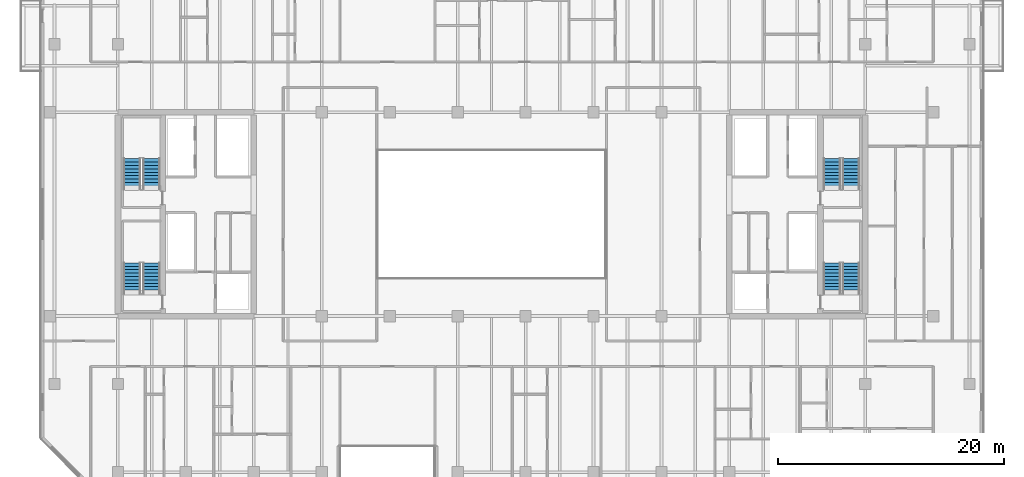
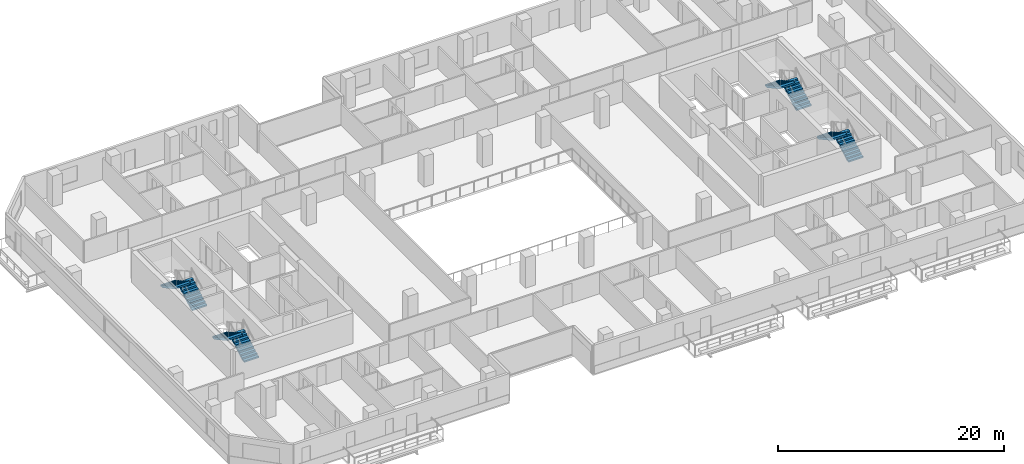
# One storey, part 17 of 23: 8 stair flights, 4 elements without a shape of their own.
"""IFC4 building model written with IfcOpenShell, lengths in metres."""

from ifc_helpers import new_model, si_unit, direction, frame, origin, place, context, subcontext, project, spatial, polyline, outline, extrude, material, type_object, element, aggregate, save


model = new_model("IFC4")

# Units and contexts
model_context = context("Model", 3, precision=1e-05, world=origin(), true_north=direction((0.0, 1.0)))
body_context = subcontext(model_context, "Body", "Model", "MODEL_VIEW")
ifc_project = project(units=[si_unit("LENGTHUNIT", "METRE"), si_unit("AREAUNIT", "SQUARE_METRE"), si_unit("VOLUMEUNIT", "CUBIC_METRE"), si_unit("PLANEANGLEUNIT", "RADIAN"), si_unit("MASSUNIT", "GRAM", prefix="KILO")], contexts=[model_context])

# Site, building, storey
site_placement = place(None, origin())
site = spatial("IfcSite", under=ifc_project, at=site_placement, CompositionType="ELEMENT")
building_placement = place(site_placement, origin())
building = spatial("IfcBuilding", under=site, at=building_placement, Name="Tanjung Sevakor Pilgrim Tower", CompositionType="ELEMENT")
storey_placement = place(building_placement, frame((0.0, 0.0, 82.169921875)))
storey = spatial("IfcBuildingStorey", under=building, at=storey_placement, Name="L22", CompositionType="ELEMENT", Elevation=82.169921875)

# Stair, stair flights
ifc_material_1 = material(Name="Concrete C40/50", Category="concrete")
stair_type = type_object("IfcStairType", Name="STAIR-ST-CR150", PredefinedType="HALF_TURN_STAIR", material=ifc_material_1)
stair_1_placement = place(storey_placement, origin())
stair_1 = element("IfcStair", 1, at=stair_1_placement, inside=storey, type_object=stair_type, Name="L22 West Core Exit Stair 1", PredefinedType="HALF_TURN_STAIR")
ifc_material_2 = material(Name="Concrete C40/50", Category="concrete")
stair_flight_type = type_object("IfcStairFlightType", Name="FLIGHT-ST-CR150", PredefinedType="STRAIGHT", material=ifc_material_2)
stair_flight_1_placement = place(storey_placement, frame((26.949951171875, 26.60009765625, 0.0), z_axis=(0.0, 0.0, 1.0), x_axis=(0.0, 1.0, 0.0)))
stair_flight_1 = element("IfcStairFlight", 2, at=stair_flight_1_placement, type_object=stair_flight_type, Name="TS-W1 flight 1", NumberOfRisers=10, NumberOfTreads=9, PredefinedType="STRAIGHT", RiserHeight=0.165, TreadLength=0.3, context=body_context, shape_type="SweptSolid", body=[
    extrude(outline(polyline([(0.0, 0.0), (0.0, 0.1650390625), (0.300048828125, 0.1650390625), (0.300048828125, 0.330078125), (0.60009765625, 0.330078125), (0.60009765625, 0.4951171875), (0.89990234375, 0.4951171875), (0.89990234375, 0.659912109375), (1.199951171875, 0.659912109375), (1.199951171875, 0.824951171875), (1.5, 0.824951171875), (1.5, 0.989990234375), (1.800048828125, 0.989990234375), (1.800048828125, 1.155029296875), (2.10009765625, 1.155029296875), (2.10009765625, 1.320068359375), (2.39990234375, 1.320068359375), (2.39990234375, 1.485107421875), (2.699951171875, 1.485107421875), (2.699951171875, 1.64990234375), (2.699951171875, 1.302490234375), (0.331787109375, 0.0), (0.0, 0.0)])), frame((0.0, 0.75, 0.0), z_axis=(0.0, -1.0, 0.0), x_axis=(1.0, 0.0, 0.0)), (0.0, 0.0, 1.0), 1.5),
])
stair_flight_2_placement = place(storey_placement, frame((25.25, 29.300048828125, 1.650146484375), z_axis=(0.0, 0.0, 1.0), x_axis=(0.0, -1.0, 0.0)))
stair_flight_2 = element("IfcStairFlight", 3, at=stair_flight_2_placement, type_object=stair_flight_type, Name="TS-W1 flight 2", NumberOfRisers=10, NumberOfTreads=9, PredefinedType="STRAIGHT", RiserHeight=0.165, TreadLength=0.3, context=body_context, shape_type="SweptSolid", body=[
    extrude(outline(polyline([(0.0, 0.0), (0.0, 0.1650390625), (0.300048828125, 0.1650390625), (0.300048828125, 0.330078125), (0.60009765625, 0.330078125), (0.60009765625, 0.4951171875), (0.89990234375, 0.4951171875), (0.89990234375, 0.659912109375), (1.199951171875, 0.659912109375), (1.199951171875, 0.824951171875), (1.5, 0.824951171875), (1.5, 0.989990234375), (1.800048828125, 0.989990234375), (1.800048828125, 1.155029296875), (2.10009765625, 1.155029296875), (2.10009765625, 1.320068359375), (2.39990234375, 1.320068359375), (2.39990234375, 1.485107421875), (2.699951171875, 1.485107421875), (2.699951171875, 1.64990234375), (2.699951171875, 1.302490234375), (0.331787109375, 0.0), (0.0, 0.0)])), frame((0.0, 0.75, 0.0), z_axis=(0.0, -1.0, 0.0), x_axis=(1.0, 0.0, 0.0)), (0.0, 0.0, 1.0), 1.5),
])
aggregate(stair_1, [stair_flight_1, stair_flight_2])

stair_2_placement = place(storey_placement, origin())
stair_2 = element("IfcStair", 4, at=stair_2_placement, inside=storey, type_object=stair_type, Name="L22 West Core Exit Stair 2", PredefinedType="HALF_TURN_STAIR")
stair_flight_3_placement = place(storey_placement, frame((26.949951171875, 35.800048828125, 0.0), z_axis=(0.0, 0.0, 1.0), x_axis=(0.0, 1.0, 0.0)))
stair_flight_3 = element("IfcStairFlight", 5, at=stair_flight_3_placement, type_object=stair_flight_type, Name="TS-W2 flight 1", NumberOfRisers=10, NumberOfTreads=9, PredefinedType="STRAIGHT", RiserHeight=0.165, TreadLength=0.3, context=body_context, shape_type="SweptSolid", body=[
    extrude(outline(polyline([(0.0, 0.0), (0.0, 0.1650390625), (0.300048828125, 0.1650390625), (0.300048828125, 0.330078125), (0.60009765625, 0.330078125), (0.60009765625, 0.4951171875), (0.89990234375, 0.4951171875), (0.89990234375, 0.659912109375), (1.199951171875, 0.659912109375), (1.199951171875, 0.824951171875), (1.5, 0.824951171875), (1.5, 0.989990234375), (1.800048828125, 0.989990234375), (1.800048828125, 1.155029296875), (2.10009765625, 1.155029296875), (2.10009765625, 1.320068359375), (2.39990234375, 1.320068359375), (2.39990234375, 1.485107421875), (2.699951171875, 1.485107421875), (2.699951171875, 1.64990234375), (2.699951171875, 1.302490234375), (0.331787109375, 0.0), (0.0, 0.0)])), frame((0.0, 0.75, 0.0), z_axis=(0.0, -1.0, 0.0), x_axis=(1.0, 0.0, 0.0)), (0.0, 0.0, 1.0), 1.5),
])
stair_flight_4_placement = place(storey_placement, frame((25.25, 38.5, 1.650146484375), z_axis=(0.0, 0.0, 1.0), x_axis=(0.0, -1.0, 0.0)))
stair_flight_4 = element("IfcStairFlight", 6, at=stair_flight_4_placement, type_object=stair_flight_type, Name="TS-W2 flight 2", NumberOfRisers=10, NumberOfTreads=9, PredefinedType="STRAIGHT", RiserHeight=0.165, TreadLength=0.3, context=body_context, shape_type="SweptSolid", body=[
    extrude(outline(polyline([(0.0, 0.0), (0.0, 0.1650390625), (0.300048828125, 0.1650390625), (0.300048828125, 0.330078125), (0.60009765625, 0.330078125), (0.60009765625, 0.4951171875), (0.89990234375, 0.4951171875), (0.89990234375, 0.659912109375), (1.199951171875, 0.659912109375), (1.199951171875, 0.824951171875), (1.5, 0.824951171875), (1.5, 0.989990234375), (1.800048828125, 0.989990234375), (1.800048828125, 1.155029296875), (2.10009765625, 1.155029296875), (2.10009765625, 1.320068359375), (2.39990234375, 1.320068359375), (2.39990234375, 1.485107421875), (2.699951171875, 1.485107421875), (2.699951171875, 1.64990234375), (2.699951171875, 1.302490234375), (0.331787109375, 0.0), (0.0, 0.0)])), frame((0.0, 0.75, 0.0), z_axis=(0.0, -1.0, 0.0), x_axis=(1.0, 0.0, 0.0)), (0.0, 0.0, 1.0), 1.5),
])
aggregate(stair_2, [stair_flight_3, stair_flight_4])

stair_3_placement = place(storey_placement, origin())
stair_3 = element("IfcStair", 7, at=stair_3_placement, inside=storey, type_object=stair_type, Name="L22 East Core Exit Stair 1", PredefinedType="HALF_TURN_STAIR")
stair_flight_5_placement = place(storey_placement, frame((88.75, 26.60009765625, 0.0), z_axis=(0.0, 0.0, 1.0), x_axis=(0.0, 1.0, 0.0)))
stair_flight_5 = element("IfcStairFlight", 8, at=stair_flight_5_placement, type_object=stair_flight_type, Name="TS-E1 flight 1", NumberOfRisers=10, NumberOfTreads=9, PredefinedType="STRAIGHT", RiserHeight=0.165, TreadLength=0.3, context=body_context, shape_type="SweptSolid", body=[
    extrude(outline(polyline([(0.0, 0.0), (0.0, 0.1650390625), (0.300048828125, 0.1650390625), (0.300048828125, 0.330078125), (0.60009765625, 0.330078125), (0.60009765625, 0.4951171875), (0.89990234375, 0.4951171875), (0.89990234375, 0.659912109375), (1.199951171875, 0.659912109375), (1.199951171875, 0.824951171875), (1.5, 0.824951171875), (1.5, 0.989990234375), (1.800048828125, 0.989990234375), (1.800048828125, 1.155029296875), (2.10009765625, 1.155029296875), (2.10009765625, 1.320068359375), (2.39990234375, 1.320068359375), (2.39990234375, 1.485107421875), (2.699951171875, 1.485107421875), (2.699951171875, 1.64990234375), (2.699951171875, 1.302490234375), (0.331787109375, 0.0), (0.0, 0.0)])), frame((0.0, 0.75, 0.0), z_axis=(0.0, -1.0, 0.0), x_axis=(1.0, 0.0, 0.0)), (0.0, 0.0, 1.0), 1.5),
])
stair_flight_6_placement = place(storey_placement, frame((87.050048828125, 29.300048828125, 1.650146484375), z_axis=(0.0, 0.0, 1.0), x_axis=(0.0, -1.0, 0.0)))
stair_flight_6 = element("IfcStairFlight", 9, at=stair_flight_6_placement, type_object=stair_flight_type, Name="TS-E1 flight 2", NumberOfRisers=10, NumberOfTreads=9, PredefinedType="STRAIGHT", RiserHeight=0.165, TreadLength=0.3, context=body_context, shape_type="SweptSolid", body=[
    extrude(outline(polyline([(0.0, 0.0), (0.0, 0.1650390625), (0.300048828125, 0.1650390625), (0.300048828125, 0.330078125), (0.60009765625, 0.330078125), (0.60009765625, 0.4951171875), (0.89990234375, 0.4951171875), (0.89990234375, 0.659912109375), (1.199951171875, 0.659912109375), (1.199951171875, 0.824951171875), (1.5, 0.824951171875), (1.5, 0.989990234375), (1.800048828125, 0.989990234375), (1.800048828125, 1.155029296875), (2.10009765625, 1.155029296875), (2.10009765625, 1.320068359375), (2.39990234375, 1.320068359375), (2.39990234375, 1.485107421875), (2.699951171875, 1.485107421875), (2.699951171875, 1.64990234375), (2.699951171875, 1.302490234375), (0.331787109375, 0.0), (0.0, 0.0)])), frame((0.0, 0.75, 0.0), z_axis=(0.0, -1.0, 0.0), x_axis=(1.0, 0.0, 0.0)), (0.0, 0.0, 1.0), 1.5),
])
aggregate(stair_3, [stair_flight_5, stair_flight_6])

stair_4_placement = place(storey_placement, origin())
stair_4 = element("IfcStair", 10, at=stair_4_placement, inside=storey, type_object=stair_type, Name="L22 East Core Exit Stair 2", PredefinedType="HALF_TURN_STAIR")
stair_flight_7_placement = place(storey_placement, frame((88.75, 35.800048828125, 0.0), z_axis=(0.0, 0.0, 1.0), x_axis=(0.0, 1.0, 0.0)))
stair_flight_7 = element("IfcStairFlight", 11, at=stair_flight_7_placement, type_object=stair_flight_type, Name="TS-E2 flight 1", NumberOfRisers=10, NumberOfTreads=9, PredefinedType="STRAIGHT", RiserHeight=0.165, TreadLength=0.3, context=body_context, shape_type="SweptSolid", body=[
    extrude(outline(polyline([(0.0, 0.0), (0.0, 0.1650390625), (0.300048828125, 0.1650390625), (0.300048828125, 0.330078125), (0.60009765625, 0.330078125), (0.60009765625, 0.4951171875), (0.89990234375, 0.4951171875), (0.89990234375, 0.659912109375), (1.199951171875, 0.659912109375), (1.199951171875, 0.824951171875), (1.5, 0.824951171875), (1.5, 0.989990234375), (1.800048828125, 0.989990234375), (1.800048828125, 1.155029296875), (2.10009765625, 1.155029296875), (2.10009765625, 1.320068359375), (2.39990234375, 1.320068359375), (2.39990234375, 1.485107421875), (2.699951171875, 1.485107421875), (2.699951171875, 1.64990234375), (2.699951171875, 1.302490234375), (0.331787109375, 0.0), (0.0, 0.0)])), frame((0.0, 0.75, 0.0), z_axis=(0.0, -1.0, 0.0), x_axis=(1.0, 0.0, 0.0)), (0.0, 0.0, 1.0), 1.5),
])
stair_flight_8_placement = place(storey_placement, frame((87.050048828125, 38.5, 1.650146484375), z_axis=(0.0, 0.0, 1.0), x_axis=(0.0, -1.0, 0.0)))
stair_flight_8 = element("IfcStairFlight", 12, at=stair_flight_8_placement, type_object=stair_flight_type, Name="TS-E2 flight 2", NumberOfRisers=10, NumberOfTreads=9, PredefinedType="STRAIGHT", RiserHeight=0.165, TreadLength=0.3, context=body_context, shape_type="SweptSolid", body=[
    extrude(outline(polyline([(0.0, 0.0), (0.0, 0.1650390625), (0.300048828125, 0.1650390625), (0.300048828125, 0.330078125), (0.60009765625, 0.330078125), (0.60009765625, 0.4951171875), (0.89990234375, 0.4951171875), (0.89990234375, 0.659912109375), (1.199951171875, 0.659912109375), (1.199951171875, 0.824951171875), (1.5, 0.824951171875), (1.5, 0.989990234375), (1.800048828125, 0.989990234375), (1.800048828125, 1.155029296875), (2.10009765625, 1.155029296875), (2.10009765625, 1.320068359375), (2.39990234375, 1.320068359375), (2.39990234375, 1.485107421875), (2.699951171875, 1.485107421875), (2.699951171875, 1.64990234375), (2.699951171875, 1.302490234375), (0.331787109375, 0.0), (0.0, 0.0)])), frame((0.0, 0.75, 0.0), z_axis=(0.0, -1.0, 0.0), x_axis=(1.0, 0.0, 0.0)), (0.0, 0.0, 1.0), 1.5),
])
aggregate(stair_4, [stair_flight_7, stair_flight_8])

save(model, "model.ifc")
